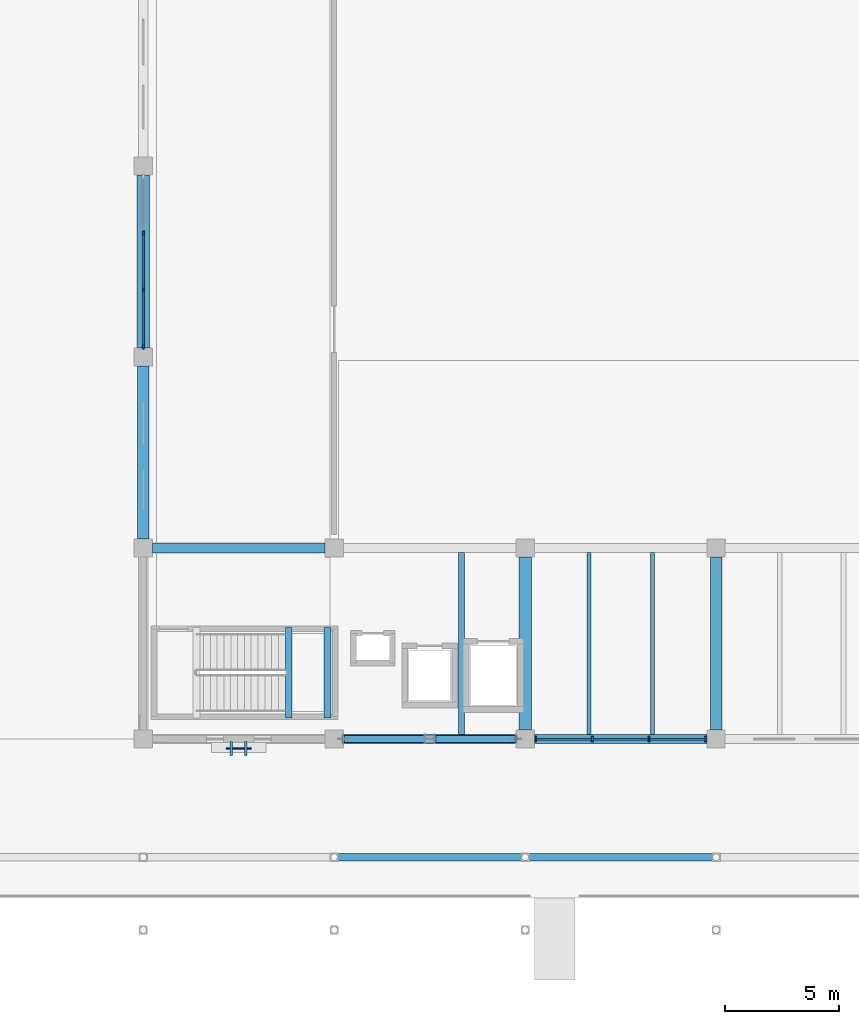
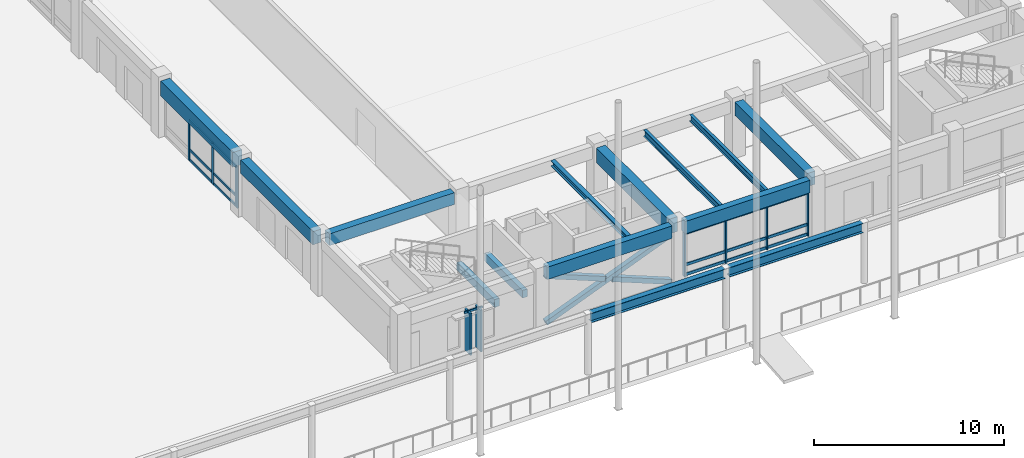
# One storey, part 51 of 135: 28 members, 14 beams, 3 elements without a shape of their own.
"""IFC4 building model written with IfcOpenShell, lengths in metres."""

from ifc_helpers import new_model, si_unit, direction, frame, origin, origin_2d, place, context, subcontext, project, spatial, rectangle, hollow_rectangle, i_section, extrude, material, material_profile, profile_set, type_object, element, aggregate, save


model = new_model("IFC4")

# Units and contexts
model_context = context("Model", 3, precision=1e-05, world=origin(), true_north=direction((0.0, 1.0)))
body_context = subcontext(model_context, "Body", "Model", "MODEL_VIEW")
ifc_project = project(units=[si_unit("LENGTHUNIT", "METRE"), si_unit("AREAUNIT", "SQUARE_METRE"), si_unit("VOLUMEUNIT", "CUBIC_METRE"), si_unit("PLANEANGLEUNIT", "RADIAN"), si_unit("MASSUNIT", "GRAM", prefix="KILO")], contexts=[model_context])

# Site, building, storey
site_placement = place(None, origin())
site = spatial("IfcSite", under=ifc_project, at=site_placement, CompositionType="ELEMENT")
building_placement = place(site_placement, origin())
building = spatial("IfcBuilding", under=site, at=building_placement, Name="Cumbredor Promenade Congress Hotel", CompositionType="ELEMENT")
storey_placement = place(building_placement, origin())
storey = spatial("IfcBuildingStorey", under=building, at=storey_placement, Name="L00", CompositionType="ELEMENT", Elevation=0.0)

# Beams
ifc_material_1 = material(Name="Concrete C40/50", Category="concrete")
ifc_material_profile_1 = material_profile(ifc_material_1, rectangle(XDim=0.449951171875, YDim=0.75, at=origin_2d()), Name="RC BEAM 450x750")
ifc_profile_set_1 = profile_set([ifc_material_profile_1], Name="Concrete C40/50")
beam_type_1 = type_object("IfcBeamType", Name="BM-RC-450x750", PredefinedType="BEAM", material=ifc_profile_set_1)
beam_1_placement = place(storey_placement, frame((143.199951171875, 16.800048828125, 3.264892578125), z_axis=(1.0, 0.0, 0.0), x_axis=(0.0, 1.0, 0.0)))
element("IfcBeam", 1, at=beam_1_placement, inside=storey, type_object=beam_type_1, Name="L01 X-Grid Beam 215", PredefinedType="BEAM", context=body_context, shape_type="SweptSolid", body=[
    extrude(rectangle(XDim=0.449951171875, YDim=0.75, at=origin_2d()), origin(), (0.0, 0.0, 1.0), 7.60009765625),
])
ifc_material_profile_2 = material_profile(ifc_material_1, rectangle(XDim=0.5, YDim=0.85009765625, at=origin_2d()), Name="RC BEAM 500x850")
ifc_profile_set_2 = profile_set([ifc_material_profile_2], Name="Concrete C40/50")
beam_type_2 = type_object("IfcBeamType", Name="BM-RC-500x850", PredefinedType="BEAM", material=ifc_profile_set_2)
beam_2_placement = place(storey_placement, frame((142.800048828125, 17.199951171875, 3.215087890625), z_axis=(0.0, 1.0, 0.0), x_axis=(-1.0, 0.0, 0.0)))
element("IfcBeam", 2, at=beam_2_placement, inside=storey, type_object=beam_type_2, Name="L01 Y-Grid Beam 216", PredefinedType="BEAM", context=body_context, shape_type="SweptSolid", body=[
    extrude(rectangle(XDim=0.5, YDim=0.85009765625, at=origin_2d()), origin(), (0.0, 0.0, 1.0), 7.60009765625),
])
beam_3_placement = place(storey_placement, frame((168.0, 8.800048828125, 3.215087890625), z_axis=(0.0, 1.0, 0.0), x_axis=(-1.0, 0.0, 0.0)))
element("IfcBeam", 3, at=beam_3_placement, inside=storey, type_object=beam_type_2, Name="L01 Y-Grid Beam 256", PredefinedType="BEAM", context=body_context, shape_type="SweptSolid", body=[
    extrude(rectangle(XDim=0.5, YDim=0.85009765625, at=origin_2d()), origin(), (0.0, 0.0, 1.0), 7.599853515625),
])
ifc_material_profile_3 = material_profile(ifc_material_1, rectangle(XDim=0.550048828125, YDim=0.949951171875, at=origin_2d()), Name="RC BEAM 550x950")
ifc_profile_set_3 = profile_set([ifc_material_profile_3], Name="Concrete C40/50")
beam_type_3 = type_object("IfcBeamType", Name="BM-RC-550x950", PredefinedType="BEAM", material=ifc_profile_set_3)
for number, where, z_axis, x_axis, name in (
    (4, (142.800048828125, 25.60009765625, 3.1650390625), (0.0, 1.0, 0.0), (-1.0, 0.0, 0.0), "L01 Y-Grid Beam 217"),
    (5, (159.60009765625, 8.800048828125, 3.1650390625), (0.0, 1.0, 0.0), (-1.0, 0.0, 0.0), "L01 Y-Grid Beam 241"),
):
    element("IfcBeam", number, at=place(storey_placement, frame(where, z_axis=z_axis, x_axis=x_axis)), inside=storey, type_object=beam_type_3, Name=name, PredefinedType="BEAM", context=body_context, shape_type="SweptSolid", body=[
        extrude(rectangle(XDim=0.550048828125, YDim=0.949951171875, at=origin_2d()), origin(), (0.0, 0.0, 1.0), 7.599853515625),
    ])
ifc_material_2 = material(Name="Steel ASTM A992 Grade 50", Category="steel")
ifc_material_profile_4 = material_profile(ifc_material_2, i_section(OverallWidth=0.323974609375, OverallDepth=0.611083984375, WebThickness=0.0126953125, FlangeThickness=0.01904296875, at=origin_2d()), Name="W24X104")
ifc_profile_set_4 = profile_set([ifc_material_profile_4], Name="Steel ASTM A992 Grade 50")
beam_type_4 = type_object("IfcBeamType", Name="BM-W24X104", PredefinedType="BEAM", material=ifc_profile_set_4)
beam_4_placement = place(storey_placement, frame((151.340087890625, 3.199951171875, 3.60009765625), z_axis=(1.0, 0.0, 0.0), x_axis=(0.0, 1.0, 0.0)))
element("IfcBeam", 6, at=beam_4_placement, inside=storey, type_object=beam_type_4, Name="Riverside Colonnade Edge Beam 18", PredefinedType="BEAM", context=body_context, shape_type="SweptSolid", body=[
    extrude(i_section(OverallWidth=0.323974609375, OverallDepth=0.611083984375, WebThickness=0.0126953125, FlangeThickness=0.01904296875, at=origin_2d()), origin(), (0.0, 0.0, 1.0), 8.119873046875),
])
beam_5_placement = place(storey_placement, frame((159.739990234375, 3.199951171875, 3.60009765625), z_axis=(1.0, 0.0, 0.0), x_axis=(0.0, 1.0, 0.0)))
element("IfcBeam", 7, at=beam_5_placement, inside=storey, type_object=beam_type_4, Name="Riverside Colonnade Edge Beam 19", PredefinedType="BEAM", context=body_context, shape_type="SweptSolid", body=[
    extrude(i_section(OverallWidth=0.323974609375, OverallDepth=0.611083984375, WebThickness=0.0126953125, FlangeThickness=0.01904296875, at=origin_2d()), origin(), (0.0, 0.0, 1.0), 8.1201171875),
])

# Curtain wall, members
ifc_material_3 = material(Name="Thermally broken anodized aluminium and low-E glass", Category="aluminium")
curtain_wall_type_1 = type_object("IfcCurtainWallType", Name="Unitised Grand Foyer Curtain Wall CW-04", PredefinedType="NOTDEFINED", material=ifc_material_3)
curtain_wall_1_placement = place(storey_placement, origin())
curtain_wall_1 = element("IfcCurtainWall", 8, at=curtain_wall_1_placement, inside=storey, type_object=curtain_wall_type_1, Name="L00 Grand Ballroom Pavilion West Curtain Wall 3", PredefinedType="NOTDEFINED")
ifc_material_4 = material(Name="Thermally broken anodized aluminium", Category="aluminium")
ifc_material_profile_5 = material_profile(ifc_material_4, rectangle(XDim=0.074951171875, YDim=0.199951171875, at=origin_2d()), Name="ALU MULLION 75x200")
ifc_profile_set_5 = profile_set([ifc_material_profile_5], Name="Thermally broken anodized aluminium")
member_type_1 = type_object("IfcMemberType", Name="Curtain Wall Mullion ML-02", PredefinedType="MULLION", material=ifc_profile_set_5)
member_1_placement = place(storey_placement, frame((142.800048828125, 25.655029296875, -0.008056640625), z_axis=(0.0, 0.0, 1.0), x_axis=(1.0, 0.0, 0.0)))
member_1 = element("IfcMember", 9, at=member_1_placement, type_object=member_type_1, Name="L00 Grand Ballroom Pavilion West Curtain Wall 3 Mullion 1", PredefinedType="MULLION", context=body_context, shape_type="SweptSolid", body=[
    extrude(rectangle(XDim=0.074951171875, YDim=0.199951171875, at=origin_2d()), origin(), (0.0, 0.0, 1.0), 2.691162109375),
])
member_2_placement = place(storey_placement, frame((142.800048828125, 28.151611328125, -0.008056640625), z_axis=(0.0, 0.0, 1.0), x_axis=(1.0, 0.0, 0.0)))
member_2 = element("IfcMember", 10, at=member_2_placement, type_object=member_type_1, Name="L00 Grand Ballroom Pavilion West Curtain Wall 3 Mullion 2", PredefinedType="MULLION", context=body_context, shape_type="SweptSolid", body=[
    extrude(rectangle(XDim=0.074951171875, YDim=0.199951171875, at=origin_2d()), origin(), (0.0, 0.0, 1.0), 2.691162109375),
])
member_3_placement = place(storey_placement, frame((142.800048828125, 30.648193359375, -0.008056640625), z_axis=(0.0, 0.0, 1.0), x_axis=(1.0, 0.0, 0.0)))
member_3 = element("IfcMember", 11, at=member_3_placement, type_object=member_type_1, Name="L00 Grand Ballroom Pavilion West Curtain Wall 3 Mullion 3", PredefinedType="MULLION", context=body_context, shape_type="SweptSolid", body=[
    extrude(rectangle(XDim=0.074951171875, YDim=0.199951171875, at=origin_2d()), origin(), (0.0, 0.0, 1.0), 2.691162109375),
])

curtain_wall_2_placement = place(storey_placement, origin())
curtain_wall_2 = element("IfcCurtainWall", 12, at=curtain_wall_2_placement, inside=storey, type_object=curtain_wall_type_1, Name="L00 Grand Ballroom Pavilion South Curtain Wall 3", PredefinedType="NOTDEFINED")
ifc_material_profile_6 = material_profile(ifc_material_4, rectangle(XDim=0.080078125, YDim=0.239990234375, at=origin_2d()), Name="ALU MULLION 80x240")
ifc_profile_set_6 = profile_set([ifc_material_profile_6], Name="Thermally broken anodized aluminium")
member_type_2 = type_object("IfcMemberType", Name="Curtain Wall Mullion ML-03", PredefinedType="MULLION", material=ifc_profile_set_6)
member_4_placement = place(storey_placement, frame((160.054931640625, 8.39990234375, -0.008056640625), z_axis=(0.0, 0.0, 1.0), x_axis=(1.0, 0.0, 0.0)))
member_4 = element("IfcMember", 13, at=member_4_placement, type_object=member_type_2, Name="L00 Grand Ballroom Pavilion South Curtain Wall 3 Mullion 1", PredefinedType="MULLION", context=body_context, shape_type="SweptSolid", body=[
    extrude(rectangle(XDim=0.080078125, YDim=0.239990234375, at=origin_2d()), origin(), (0.0, 0.0, 1.0), 2.841064453125),
])
member_5_placement = place(storey_placement, frame((162.5517578125, 8.39990234375, -0.008056640625), z_axis=(0.0, 0.0, 1.0), x_axis=(1.0, 0.0, 0.0)))
member_5 = element("IfcMember", 14, at=member_5_placement, type_object=member_type_2, Name="L00 Grand Ballroom Pavilion South Curtain Wall 3 Mullion 2", PredefinedType="MULLION", context=body_context, shape_type="SweptSolid", body=[
    extrude(rectangle(XDim=0.080078125, YDim=0.239990234375, at=origin_2d()), origin(), (0.0, 0.0, 1.0), 2.841064453125),
])
member_6_placement = place(storey_placement, frame((165.04833984375, 8.39990234375, -0.008056640625), z_axis=(0.0, 0.0, 1.0), x_axis=(1.0, 0.0, 0.0)))
member_6 = element("IfcMember", 15, at=member_6_placement, type_object=member_type_2, Name="L00 Grand Ballroom Pavilion South Curtain Wall 3 Mullion 3", PredefinedType="MULLION", context=body_context, shape_type="SweptSolid", body=[
    extrude(rectangle(XDim=0.080078125, YDim=0.239990234375, at=origin_2d()), origin(), (0.0, 0.0, 1.0), 2.841064453125),
])
member_7_placement = place(storey_placement, frame((167.544921875, 8.39990234375, -0.008056640625), z_axis=(0.0, 0.0, 1.0), x_axis=(1.0, 0.0, 0.0)))
member_7 = element("IfcMember", 16, at=member_7_placement, type_object=member_type_2, Name="L00 Grand Ballroom Pavilion South Curtain Wall 3 Mullion 4", PredefinedType="MULLION", context=body_context, shape_type="SweptSolid", body=[
    extrude(rectangle(XDim=0.080078125, YDim=0.239990234375, at=origin_2d()), origin(), (0.0, 0.0, 1.0), 2.841064453125),
])

# Curtain wall, member
curtain_wall_type_2 = type_object("IfcCurtainWallType", Name="Solar Brise-Soleil Screen Assembly CW-07", PredefinedType="NOTDEFINED", material=ifc_material_3)
curtain_wall_3_placement = place(storey_placement, origin())
curtain_wall_3 = element("IfcCurtainWall", 17, at=curtain_wall_3_placement, inside=storey, type_object=curtain_wall_type_2, Name="L00 Pier Brise-Soleil Screen 0019", PredefinedType="NOTDEFINED")
ifc_material_profile_7 = material_profile(ifc_material_4, rectangle(XDim=0.06494140625, YDim=0.1298828125, at=origin_2d()), Name="ALU TRANSOM 65x130")
ifc_profile_set_7 = profile_set([ifc_material_profile_7], Name="Thermally broken anodized aluminium")
member_type_3 = type_object("IfcMemberType", Name="Curtain Wall Transom TR-01", PredefinedType="USERDEFINED", material=ifc_profile_set_7)
member_8_placement = place(storey_placement, frame((146.449951171875, 7.989990234375, 2.6650390625), z_axis=(1.0, 0.0, 0.0), x_axis=(0.0, 1.0, 0.0)))
member_8 = element("IfcMember", 18, at=member_8_placement, type_object=member_type_3, Name="L00 Pier Brise-Soleil Header 0021", ObjectType="TRANSOM", PredefinedType="USERDEFINED", context=body_context, shape_type="SweptSolid", body=[
    extrude(rectangle(XDim=0.06494140625, YDim=0.1298828125, at=origin_2d()), origin(), (0.0, 0.0, 1.0), 1.10009765625),
])

# Member
ifc_material_profile_8 = material_profile(ifc_material_4, rectangle(XDim=0.074951171875, YDim=0.14990234375, at=origin_2d()), Name="ALU TRANSOM 75x150")
ifc_profile_set_8 = profile_set([ifc_material_profile_8], Name="Thermally broken anodized aluminium")
member_type_4 = type_object("IfcMemberType", Name="Curtain Wall Transom TR-02", PredefinedType="USERDEFINED", material=ifc_profile_set_8)
member_9_placement = place(storey_placement, frame((142.800048828125, 25.6923828125, 0.070068359375), z_axis=(0.0, 1.0, 0.0), x_axis=(-1.0, 0.0, 0.0)))
member_9 = element("IfcMember", 19, at=member_9_placement, type_object=member_type_4, Name="L00 Grand Ballroom Pavilion West Curtain Wall 3 Transom 1.1", ObjectType="TRANSOM", PredefinedType="USERDEFINED", context=body_context, shape_type="SweptSolid", body=[
    extrude(rectangle(XDim=0.074951171875, YDim=0.14990234375, at=origin_2d()), origin(), (0.0, 0.0, 1.0), 2.421875),
])

member_10_placement = place(storey_placement, frame((142.800048828125, 25.6923828125, 0.719970703125), z_axis=(0.0, 1.0, 0.0), x_axis=(-1.0, 0.0, 0.0)))
member_10 = element("IfcMember", 20, at=member_10_placement, type_object=member_type_4, Name="L00 Grand Ballroom Pavilion West Curtain Wall 3 Transom 1.2", ObjectType="TRANSOM", PredefinedType="USERDEFINED", context=body_context, shape_type="SweptSolid", body=[
    extrude(rectangle(XDim=0.074951171875, YDim=0.14990234375, at=origin_2d()), origin(), (0.0, 0.0, 1.0), 2.421875),
])

member_11_placement = place(storey_placement, frame((142.800048828125, 25.6923828125, 2.60009765625), z_axis=(0.0, 1.0, 0.0), x_axis=(-1.0, 0.0, 0.0)))
member_11 = element("IfcMember", 21, at=member_11_placement, type_object=member_type_4, Name="L00 Grand Ballroom Pavilion West Curtain Wall 3 Transom 1.3", ObjectType="TRANSOM", PredefinedType="USERDEFINED", context=body_context, shape_type="SweptSolid", body=[
    extrude(rectangle(XDim=0.074951171875, YDim=0.14990234375, at=origin_2d()), origin(), (0.0, 0.0, 1.0), 2.421875),
])

member_12_placement = place(storey_placement, frame((142.800048828125, 28.189208984375, 0.070068359375), z_axis=(0.0, 1.0, 0.0), x_axis=(-1.0, 0.0, 0.0)))
member_12 = element("IfcMember", 22, at=member_12_placement, type_object=member_type_4, Name="L00 Grand Ballroom Pavilion West Curtain Wall 3 Transom 2.1", ObjectType="TRANSOM", PredefinedType="USERDEFINED", context=body_context, shape_type="SweptSolid", body=[
    extrude(rectangle(XDim=0.074951171875, YDim=0.14990234375, at=origin_2d()), origin(), (0.0, 0.0, 1.0), 2.421630859375),
])

member_13_placement = place(storey_placement, frame((142.800048828125, 28.189208984375, 0.719970703125), z_axis=(0.0, 1.0, 0.0), x_axis=(-1.0, 0.0, 0.0)))
member_13 = element("IfcMember", 23, at=member_13_placement, type_object=member_type_4, Name="L00 Grand Ballroom Pavilion West Curtain Wall 3 Transom 2.2", ObjectType="TRANSOM", PredefinedType="USERDEFINED", context=body_context, shape_type="SweptSolid", body=[
    extrude(rectangle(XDim=0.074951171875, YDim=0.14990234375, at=origin_2d()), origin(), (0.0, 0.0, 1.0), 2.421630859375),
])

member_14_placement = place(storey_placement, frame((142.800048828125, 28.189208984375, 2.60009765625), z_axis=(0.0, 1.0, 0.0), x_axis=(-1.0, 0.0, 0.0)))
member_14 = element("IfcMember", 24, at=member_14_placement, type_object=member_type_4, Name="L00 Grand Ballroom Pavilion West Curtain Wall 3 Transom 2.3", ObjectType="TRANSOM", PredefinedType="USERDEFINED", context=body_context, shape_type="SweptSolid", body=[
    extrude(rectangle(XDim=0.074951171875, YDim=0.14990234375, at=origin_2d()), origin(), (0.0, 0.0, 1.0), 2.421630859375),
])

aggregate(curtain_wall_1, [member_1, member_2, member_3, member_9, member_10, member_11, member_12, member_13, member_14])

ifc_material_profile_9 = material_profile(ifc_material_4, rectangle(XDim=0.080078125, YDim=0.179931640625, at=origin_2d()), Name="ALU TRANSOM 80x180")
ifc_profile_set_9 = profile_set([ifc_material_profile_9], Name="Thermally broken anodized aluminium")
member_type_5 = type_object("IfcMemberType", Name="Curtain Wall Transom TR-03", PredefinedType="USERDEFINED", material=ifc_profile_set_9)
member_15_placement = place(storey_placement, frame((160.094970703125, 8.39990234375, 0.090087890625), z_axis=(1.0, 0.0, 0.0), x_axis=(0.0, 1.0, 0.0)))
member_15 = element("IfcMember", 25, at=member_15_placement, type_object=member_type_5, Name="L00 Grand Ballroom Pavilion South Curtain Wall 3 Transom 1.1", ObjectType="TRANSOM", PredefinedType="USERDEFINED", context=body_context, shape_type="SweptSolid", body=[
    extrude(rectangle(XDim=0.080078125, YDim=0.179931640625, at=origin_2d()), origin(), (0.0, 0.0, 1.0), 2.416748046875),
])

member_16_placement = place(storey_placement, frame((160.094970703125, 8.39990234375, 0.719970703125), z_axis=(1.0, 0.0, 0.0), x_axis=(0.0, 1.0, 0.0)))
member_16 = element("IfcMember", 26, at=member_16_placement, type_object=member_type_5, Name="L00 Grand Ballroom Pavilion South Curtain Wall 3 Transom 1.2", ObjectType="TRANSOM", PredefinedType="USERDEFINED", context=body_context, shape_type="SweptSolid", body=[
    extrude(rectangle(XDim=0.080078125, YDim=0.179931640625, at=origin_2d()), origin(), (0.0, 0.0, 1.0), 2.416748046875),
])

member_17_placement = place(storey_placement, frame((160.094970703125, 8.39990234375, 2.739990234375), z_axis=(1.0, 0.0, 0.0), x_axis=(0.0, 1.0, 0.0)))
member_17 = element("IfcMember", 27, at=member_17_placement, type_object=member_type_5, Name="L00 Grand Ballroom Pavilion South Curtain Wall 3 Transom 1.3", ObjectType="TRANSOM", PredefinedType="USERDEFINED", context=body_context, shape_type="SweptSolid", body=[
    extrude(rectangle(XDim=0.080078125, YDim=0.179931640625, at=origin_2d()), origin(), (0.0, 0.0, 1.0), 2.416748046875),
])

member_18_placement = place(storey_placement, frame((162.591796875, 8.39990234375, 0.090087890625), z_axis=(1.0, 0.0, 0.0), x_axis=(0.0, 1.0, 0.0)))
member_18 = element("IfcMember", 28, at=member_18_placement, type_object=member_type_5, Name="L00 Grand Ballroom Pavilion South Curtain Wall 3 Transom 2.1", ObjectType="TRANSOM", PredefinedType="USERDEFINED", context=body_context, shape_type="SweptSolid", body=[
    extrude(rectangle(XDim=0.080078125, YDim=0.179931640625, at=origin_2d()), origin(), (0.0, 0.0, 1.0), 2.41650390625),
])

member_19_placement = place(storey_placement, frame((162.591796875, 8.39990234375, 0.719970703125), z_axis=(1.0, 0.0, 0.0), x_axis=(0.0, 1.0, 0.0)))
member_19 = element("IfcMember", 29, at=member_19_placement, type_object=member_type_5, Name="L00 Grand Ballroom Pavilion South Curtain Wall 3 Transom 2.2", ObjectType="TRANSOM", PredefinedType="USERDEFINED", context=body_context, shape_type="SweptSolid", body=[
    extrude(rectangle(XDim=0.080078125, YDim=0.179931640625, at=origin_2d()), origin(), (0.0, 0.0, 1.0), 2.41650390625),
])

member_20_placement = place(storey_placement, frame((162.591796875, 8.39990234375, 2.739990234375), z_axis=(1.0, 0.0, 0.0), x_axis=(0.0, 1.0, 0.0)))
member_20 = element("IfcMember", 30, at=member_20_placement, type_object=member_type_5, Name="L00 Grand Ballroom Pavilion South Curtain Wall 3 Transom 2.3", ObjectType="TRANSOM", PredefinedType="USERDEFINED", context=body_context, shape_type="SweptSolid", body=[
    extrude(rectangle(XDim=0.080078125, YDim=0.179931640625, at=origin_2d()), origin(), (0.0, 0.0, 1.0), 2.41650390625),
])

member_21_placement = place(storey_placement, frame((165.08837890625, 8.39990234375, 0.090087890625), z_axis=(1.0, 0.0, 0.0), x_axis=(0.0, 1.0, 0.0)))
member_21 = element("IfcMember", 31, at=member_21_placement, type_object=member_type_5, Name="L00 Grand Ballroom Pavilion South Curtain Wall 3 Transom 3.1", ObjectType="TRANSOM", PredefinedType="USERDEFINED", context=body_context, shape_type="SweptSolid", body=[
    extrude(rectangle(XDim=0.080078125, YDim=0.179931640625, at=origin_2d()), origin(), (0.0, 0.0, 1.0), 2.41650390625),
])

member_22_placement = place(storey_placement, frame((165.08837890625, 8.39990234375, 0.719970703125), z_axis=(1.0, 0.0, 0.0), x_axis=(0.0, 1.0, 0.0)))
member_22 = element("IfcMember", 32, at=member_22_placement, type_object=member_type_5, Name="L00 Grand Ballroom Pavilion South Curtain Wall 3 Transom 3.2", ObjectType="TRANSOM", PredefinedType="USERDEFINED", context=body_context, shape_type="SweptSolid", body=[
    extrude(rectangle(XDim=0.080078125, YDim=0.179931640625, at=origin_2d()), origin(), (0.0, 0.0, 1.0), 2.41650390625),
])

member_23_placement = place(storey_placement, frame((165.08837890625, 8.39990234375, 2.739990234375), z_axis=(1.0, 0.0, 0.0), x_axis=(0.0, 1.0, 0.0)))
member_23 = element("IfcMember", 33, at=member_23_placement, type_object=member_type_5, Name="L00 Grand Ballroom Pavilion South Curtain Wall 3 Transom 3.3", ObjectType="TRANSOM", PredefinedType="USERDEFINED", context=body_context, shape_type="SweptSolid", body=[
    extrude(rectangle(XDim=0.080078125, YDim=0.179931640625, at=origin_2d()), origin(), (0.0, 0.0, 1.0), 2.41650390625),
])

aggregate(curtain_wall_2, [member_4, member_5, member_6, member_7, member_15, member_16, member_17, member_18, member_19, member_20, member_21, member_22, member_23])

# Beams
ifc_material_profile_10 = material_profile(ifc_material_2, i_section(OverallWidth=0.2548828125, OverallDepth=0.35693359375, WebThickness=0.010498046875, FlangeThickness=0.018310546875, at=origin_2d()), Name="W14X68")
ifc_profile_set_10 = profile_set([ifc_material_profile_10], Name="Steel ASTM A992 Grade 50")
beam_type_5 = type_object("IfcBeamType", Name="JST-W14X68", PredefinedType="JOIST", material=ifc_profile_set_10)
beam_6_placement = place(storey_placement, frame((156.800048828125, 8.60009765625, 3.46142578125), z_axis=(0.0, 1.0, 0.0), x_axis=(-1.0, 0.0, 0.0)))
element("IfcBeam", 34, at=beam_6_placement, inside=storey, type_object=beam_type_5, Name="L01 Secondary Floor Joist 0124", PredefinedType="JOIST", context=body_context, shape_type="SweptSolid", body=[
    extrude(i_section(OverallWidth=0.2548828125, OverallDepth=0.35693359375, WebThickness=0.010498046875, FlangeThickness=0.018310546875, at=origin_2d()), origin(), (0.0, 0.0, 1.0), 8.0),
])
ifc_material_profile_11 = material_profile(ifc_material_2, i_section(OverallWidth=0.180908203125, OverallDepth=0.4169921875, WebThickness=0.010986328125, FlangeThickness=0.018310546875, at=origin_2d()), Name="W16X57")
ifc_profile_set_11 = profile_set([ifc_material_profile_11], Name="Steel ASTM A992 Grade 50")
beam_type_6 = type_object("IfcBeamType", Name="JST-W16X57", PredefinedType="JOIST", material=ifc_profile_set_11)
for number, where, z_axis, x_axis, name in (
    (35, (162.39990234375, 8.60009765625, 3.431396484375), (0.0, 1.0, 0.0), (-1.0, 0.0, 0.0), "L01 Secondary Floor Joist 0135"),
    (36, (165.199951171875, 8.60009765625, 3.431396484375), (0.0, 1.0, 0.0), (-1.0, 0.0, 0.0), "L01 Secondary Floor Joist 0136"),
):
    element("IfcBeam", number, at=place(storey_placement, frame(where, z_axis=z_axis, x_axis=x_axis)), inside=storey, type_object=beam_type_6, Name=name, PredefinedType="JOIST", context=body_context, shape_type="SweptSolid", body=[
        extrude(i_section(OverallWidth=0.180908203125, OverallDepth=0.4169921875, WebThickness=0.010986328125, FlangeThickness=0.018310546875, at=origin_2d()), origin(), (0.0, 0.0, 1.0), 8.0),
    ])
ifc_material_profile_12 = material_profile(ifc_material_1, rectangle(XDim=0.300048828125, YDim=0.5, at=origin_2d()), Name="RC LINTEL 300x500")
ifc_profile_set_12 = profile_set([ifc_material_profile_12], Name="Concrete C40/50")
beam_type_7 = type_object("IfcBeamType", Name="LN-RC-300x500", PredefinedType="LINTEL", material=ifc_profile_set_12)
for number, where, z_axis, x_axis, name in (
    (37, (150.89990234375, 9.330078125, 1.510009765625), (0.0, 1.0, 0.0), (-1.0, 0.0, 0.0), "L00 Stair ST-08 Landing Ledger Beam E"),
    (38, (149.199951171875, 9.330078125, 1.510009765625), (0.0, 1.0, 0.0), (-1.0, 0.0, 0.0), "L00 Stair ST-08 Landing Ledger Beam W"),
):
    element("IfcBeam", number, at=place(storey_placement, frame(where, z_axis=z_axis, x_axis=x_axis)), inside=storey, type_object=beam_type_7, Name=name, PredefinedType="LINTEL", context=body_context, shape_type="SweptSolid", body=[
        extrude(rectangle(XDim=0.300048828125, YDim=0.5, at=origin_2d()), origin(), (0.0, 0.0, 1.0), 3.969970703125),
    ])
ifc_material_profile_13 = material_profile(ifc_material_1, rectangle(XDim=0.39990234375, YDim=0.800048828125, at=origin_2d()), Name="RC SPANDREL 400x800")
ifc_profile_set_13 = profile_set([ifc_material_profile_13], Name="Concrete C40/50")
beam_type_8 = type_object("IfcBeamType", Name="SP-RC-400x800", PredefinedType="SPANDREL", material=ifc_profile_set_13)
beam_7_placement = place(storey_placement, frame((151.60009765625, 8.39990234375, 3.239990234375), z_axis=(1.0, 0.0, 0.0), x_axis=(0.0, 1.0, 0.0)))
element("IfcBeam", 39, at=beam_7_placement, inside=storey, type_object=beam_type_8, Name="L01 X-Grid Beam 228", PredefinedType="SPANDREL", context=body_context, shape_type="SweptSolid", body=[
    extrude(rectangle(XDim=0.39990234375, YDim=0.800048828125, at=origin_2d()), origin(), (0.0, 0.0, 1.0), 7.599853515625),
])
beam_8_placement = place(storey_placement, frame((160.0, 8.39990234375, 3.239990234375), z_axis=(1.0, 0.0, 0.0), x_axis=(0.0, 1.0, 0.0)))
element("IfcBeam", 40, at=beam_8_placement, inside=storey, type_object=beam_type_8, Name="L01 X-Grid Beam 240", PredefinedType="SPANDREL", context=body_context, shape_type="SweptSolid", body=[
    extrude(rectangle(XDim=0.39990234375, YDim=0.800048828125, at=origin_2d()), origin(), (0.0, 0.0, 1.0), 7.60009765625),
])

# Members
ifc_material_5 = material(Name="Steel ASTM A500 Grade C", Category="steel")
ifc_material_profile_14 = material_profile(ifc_material_5, hollow_rectangle(XDim=0.300048828125, YDim=0.300048828125, WallThickness=0.01611328125, at=origin_2d()), Name="HSS 300x300x16")
ifc_profile_set_14 = profile_set([ifc_material_profile_14], Name="Steel ASTM A500 Grade C")
member_type_6 = type_object("IfcMemberType", Name="Seismic Frame Brace CBF-1", PredefinedType="BRACE", material=ifc_profile_set_14)
member_24_placement = place(storey_placement, frame((151.60009765625, 8.39990234375, 0.0), z_axis=(0.928893865507, 0.0, 0.370346036327), x_axis=(0.0, 1.0, 0.0)))
element("IfcMember", 41, at=member_24_placement, inside=storey, type_object=member_type_6, Name="L00 X-Brace Continuous Diagonal 11A", PredefinedType="BRACE", context=body_context, shape_type="SweptSolid", body=[
    extrude(hollow_rectangle(XDim=0.300048828125, YDim=0.300048828125, WallThickness=0.01611328125, at=origin_2d()), origin(), (0.0, 0.0, 1.0), 8.181640625),
])
member_25_placement = place(storey_placement, frame((159.199951171875, 8.39990234375, 0.0), z_axis=(-0.92890891624, 0.0, 0.370308284177), x_axis=(0.0, -1.0, 0.0)))
element("IfcMember", 42, at=member_25_placement, inside=storey, type_object=member_type_6, Name="L00 X-Brace Lower Split Diagonal 11B1", PredefinedType="BRACE", context=body_context, shape_type="SweptSolid", body=[
    extrude(hollow_rectangle(XDim=0.300048828125, YDim=0.300048828125, WallThickness=0.01611328125, at=origin_2d()), origin(), (0.0, 0.0, 1.0), 3.850830078125),
])
member_26_placement = place(storey_placement, frame((155.177001953125, 8.39990234375, 1.60400390625), z_axis=(-0.928900221803, 0.0, 0.370330093205), x_axis=(0.0, -1.0, 0.0)))
element("IfcMember", 43, at=member_26_placement, inside=storey, type_object=member_type_6, Name="L00 X-Brace Upper Split Diagonal 11B2", PredefinedType="BRACE", context=body_context, shape_type="SweptSolid", body=[
    extrude(hollow_rectangle(XDim=0.300048828125, YDim=0.300048828125, WallThickness=0.01611328125, at=origin_2d()), origin(), (0.0, 0.0, 1.0), 3.8505859375),
])

# Member
ifc_material_profile_15 = material_profile(ifc_material_4, rectangle(XDim=0.110107421875, YDim=0.6201171875, at=origin_2d()), Name="ARCH FIN 110x620")
ifc_profile_set_15 = profile_set([ifc_material_profile_15], Name="Thermally broken anodized aluminium")
member_type_7 = type_object("IfcMemberType", Name="Vertical Bronze Brise-Soleil Fin BSF-02 110x620", PredefinedType="USERDEFINED", material=ifc_profile_set_15)
member_27_placement = place(storey_placement, frame((146.679931640625, 7.989990234375, 0.02001953125), z_axis=(0.0, 0.0, 1.0), x_axis=(1.0, 0.0, 0.0)))
member_27 = element("IfcMember", 44, at=member_27_placement, type_object=member_type_7, Name="L00 Pier Brise-Soleil Fin 0020", ObjectType="SOLAR FIN", PredefinedType="USERDEFINED", context=body_context, shape_type="SweptSolid", body=[
    extrude(rectangle(XDim=0.110107421875, YDim=0.6201171875, at=origin_2d()), origin(), (0.0, 0.0, 1.0), 2.68505859375),
])

member_28_placement = place(storey_placement, frame((147.320068359375, 7.989990234375, 0.02001953125), z_axis=(0.0, 0.0, 1.0), x_axis=(1.0, 0.0, 0.0)))
member_28 = element("IfcMember", 45, at=member_28_placement, type_object=member_type_7, Name="L00 Pier Brise-Soleil Fin 0021", ObjectType="SOLAR FIN", PredefinedType="USERDEFINED", context=body_context, shape_type="SweptSolid", body=[
    extrude(rectangle(XDim=0.110107421875, YDim=0.6201171875, at=origin_2d()), origin(), (0.0, 0.0, 1.0), 2.68505859375),
])

aggregate(curtain_wall_3, [member_27, member_28, member_8])

save(model, "model.ifc")
